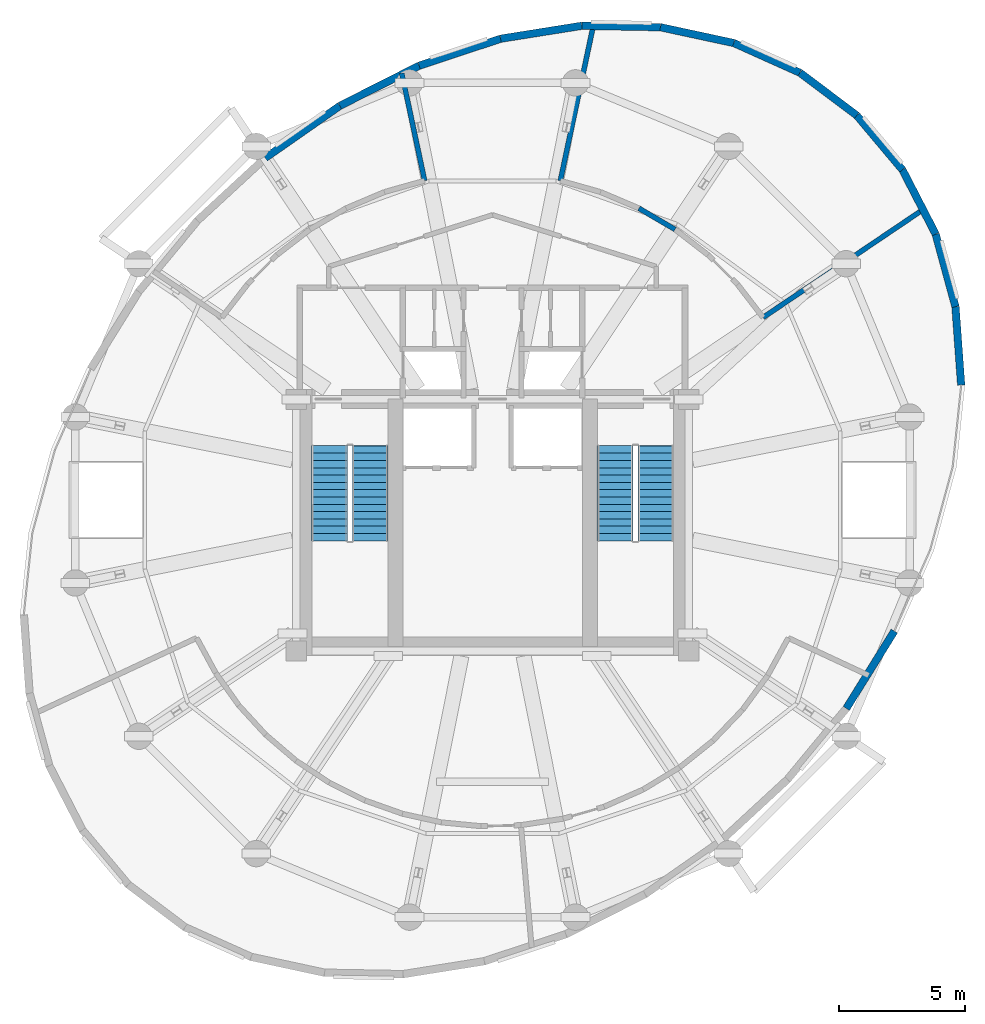
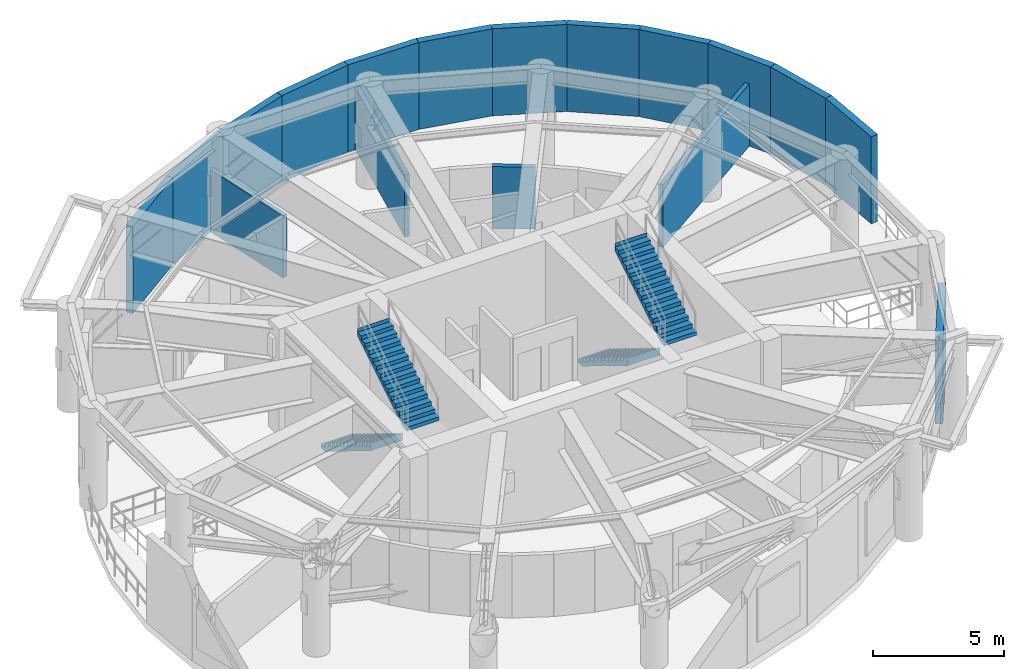
# One storey, part 5 of 7: 17 walls, 4 stair flights, 2 elements without a shape of their own.
"""IFC4 building model written with IfcOpenShell, lengths in metres."""

from ifc_helpers import new_model, si_unit, direction, frame, frame_2d, origin, place, context, subcontext, project, spatial, polyline, rectangle, outline, extrude, material, layer, layer_set, type_object, element, aggregate, save


model = new_model("IFC4")

# Units and contexts
model_context = context("Model", 3, precision=1e-05, world=origin(), true_north=direction((0.0, 1.0)))
body_context = subcontext(model_context, "Body", "Model", "MODEL_VIEW")
ifc_project = project(units=[si_unit("LENGTHUNIT", "METRE"), si_unit("AREAUNIT", "SQUARE_METRE"), si_unit("VOLUMEUNIT", "CUBIC_METRE"), si_unit("PLANEANGLEUNIT", "RADIAN"), si_unit("MASSUNIT", "GRAM", prefix="KILO"), si_unit("THERMODYNAMICTEMPERATUREUNIT", "KELVIN"), si_unit("POWERUNIT", "WATT")], contexts=[model_context])

# Site, building, storey
site_placement = place(None, origin())
site = spatial("IfcSite", under=ifc_project, at=site_placement, CompositionType="ELEMENT")
building_placement = place(site_placement, origin())
building = spatial("IfcBuilding", under=site, at=building_placement, Name="Ocrelia Relay Tower", CompositionType="ELEMENT")
storey_placement = place(building_placement, frame((0.0, 0.0, 225.39990234375)))
storey = spatial("IfcBuildingStorey", under=building, at=storey_placement, Name="L55", CompositionType="ELEMENT", Elevation=225.39990234375)

# Walls
ifc_material_1 = material(Name="Precast concrete C40/50 with oxide terracotta", Category="masonry")
ifc_layer_1 = layer(ifc_material_1, 0.300048828125, Name="Precast concrete C40/50 with oxide terracotta")
ifc_layer_set_1 = layer_set([ifc_layer_1], Name="Precast concrete C40/50 with oxide terracotta")
wall_type_1 = type_object("IfcWallType", Name="W-EXT-TERR-300", PredefinedType="SOLIDWALL", material=ifc_layer_set_1)
wall_1_placement = place(storey_placement, frame((48.4765625, 41.28173828125, 0.0), z_axis=(0.0, 0.0, 1.0), x_axis=(-0.799210477485, 0.601051256282, 0.0)))
element("IfcWall", 1, at=wall_1_placement, inside=storey, type_object=wall_type_1, Name="L55 Plant Terracotta Wall 01", PredefinedType="SOLIDWALL", context=body_context, shape_type="SweptSolid", body=[
    extrude(rectangle(XDim=2.822509765625, YDim=0.300048828125, at=frame_2d((1.4111328125, 0.0))), origin(), (0.0, 0.0, 1.0), 4.06005859375),
])
wall_2_placement = place(storey_placement, frame((46.220703125, 42.978271484375, 0.0), z_axis=(0.0, 0.0, 1.0), x_axis=(-0.912125984166, 0.409909976714, 0.0)))
element("IfcWall", 2, at=wall_2_placement, inside=storey, type_object=wall_type_1, Name="L55 Plant Terracotta Wall 02", PredefinedType="SOLIDWALL", context=body_context, shape_type="SweptSolid", body=[
    extrude(rectangle(XDim=2.88037109375, YDim=0.300048828125, at=frame_2d((1.440185546875, 0.0))), origin(), (0.0, 0.0, 1.0), 4.06005859375),
])
wall_3_placement = place(storey_placement, frame((43.593505859375, 44.158935546875, 0.0), z_axis=(0.0, 0.0, 1.0), x_axis=(-0.977563651591, 0.210640231409, 0.0)))
element("IfcWall", 3, at=wall_3_placement, inside=storey, type_object=wall_type_1, Name="L55 Plant Terracotta Wall 03", PredefinedType="SOLIDWALL", context=body_context, shape_type="SweptSolid", body=[
    extrude(rectangle(XDim=2.985595703125, YDim=0.300048828125, at=frame_2d((1.49267578125, 0.0))), origin(), (0.0, 0.0, 1.0), 4.06005859375),
])
wall_4_placement = place(storey_placement, frame((40.6748046875, 44.787841796875, 0.0), z_axis=(0.0, 0.0, 1.0), x_axis=(-0.999828254486, 0.018532715182, 0.0)))
element("IfcWall", 4, at=wall_4_placement, inside=storey, type_object=wall_type_1, Name="L55 Plant Terracotta Wall 04", PredefinedType="SOLIDWALL", context=body_context, shape_type="SweptSolid", body=[
    extrude(rectangle(XDim=3.1220703125, YDim=0.300048828125, at=frame_2d((1.56103515625, 0.0))), origin(), (0.0, 0.0, 1.0), 4.06005859375),
])
wall_5_placement = place(storey_placement, frame((37.55322265625, 44.845703125, 0.0), z_axis=(0.0, 0.0, 1.0), x_axis=(-0.987548955156, -0.157311986733, 0.0)))
element("IfcWall", 5, at=wall_5_placement, inside=storey, type_object=wall_type_1, Name="L55 Plant Terracotta Wall 05", PredefinedType="SOLIDWALL", context=body_context, shape_type="SweptSolid", body=[
    extrude(rectangle(XDim=3.27001953125, YDim=0.300048828125, at=frame_2d((1.635009765625, 0.0))), origin(), (0.0, 0.0, 1.0), 4.06005859375),
])
wall_6_placement = place(storey_placement, frame((34.323974609375, 44.331298828125, 0.0), z_axis=(0.0, 0.0, 1.0), x_axis=(-0.949382197537, -0.314123292673, 0.0)))
element("IfcWall", 6, at=wall_6_placement, inside=storey, type_object=wall_type_1, Name="L55 Plant Terracotta Wall 06", PredefinedType="SOLIDWALL", context=body_context, shape_type="SweptSolid", body=[
    extrude(rectangle(XDim=3.411865234375, YDim=0.300048828125, at=frame_2d((1.7060546875, 0.0))), origin(), (0.0, 0.0, 1.0), 4.06005859375),
])
wall_7_placement = place(storey_placement, frame((31.084716796875, 43.259521484375, 0.0), z_axis=(0.0, 0.0, 1.0), x_axis=(-0.89209261961, -0.45185258441, 0.0)))
element("IfcWall", 7, at=wall_7_placement, inside=storey, type_object=wall_type_1, Name="L55 Plant Terracotta Wall 07", PredefinedType="SOLIDWALL", context=body_context, shape_type="SweptSolid", body=[
    extrude(rectangle(XDim=3.531982421875, YDim=0.300048828125, at=frame_2d((1.76611328125, 0.0))), origin(), (0.0, 0.0, 1.0), 4.06005859375),
])
wall_8_placement = place(storey_placement, frame((27.933837890625, 41.66357421875, 0.0), z_axis=(0.0, 0.0, 1.0), x_axis=(-0.819802095638, -0.572646945323, 0.0)))
element("IfcWall", 8, at=wall_8_placement, inside=storey, type_object=wall_type_1, Name="L55 Plant Terracotta Wall 08", PredefinedType="SOLIDWALL", context=body_context, shape_type="SweptSolid", body=[
    extrude(rectangle(XDim=3.618408203125, YDim=0.300048828125, at=frame_2d((1.80908203125, 0.0))), origin(), (0.0, 0.0, 1.0), 4.06005859375),
])
wall_9_placement = place(storey_placement, frame((48.060302734375, 17.7158203125, 0.0), z_axis=(0.0, 0.0, 1.0), x_axis=(0.527455239151, 0.849582821562, 0.0)))
element("IfcWall", 9, at=wall_9_placement, inside=storey, type_object=wall_type_1, Name="L55 Plant Terracotta Wall 29", PredefinedType="SOLIDWALL", context=body_context, shape_type="SweptSolid", body=[
    extrude(rectangle(XDim=3.6181640625, YDim=0.300048828125, at=frame_2d((1.80908203125, 0.0))), origin(), (0.0, 0.0, 1.0), 4.06005859375),
])
wall_10_placement = place(storey_placement, frame((52.6259765625, 30.5673828125, 0.0), z_axis=(0.0, 0.0, 1.0), x_axis=(-0.072569639853, 0.997363347718, 0.0)))
element("IfcWall", 10, at=wall_10_placement, inside=storey, type_object=wall_type_1, Name="L55 Plant Terracotta Wall 33", PredefinedType="SOLIDWALL", context=body_context, shape_type="SweptSolid", body=[
    extrude(rectangle(XDim=3.1220703125, YDim=0.300048828125, at=frame_2d((1.56103515625, 0.0))), origin(), (0.0, 0.0, 1.0), 4.06005859375),
])
wall_11_placement = place(storey_placement, frame((52.3994140625, 33.68115234375, 0.0), z_axis=(0.0, 0.0, 1.0), x_axis=(-0.263221190674, 0.964735510272, 0.0)))
element("IfcWall", 11, at=wall_11_placement, inside=storey, type_object=wall_type_1, Name="L55 Plant Terracotta Wall 34", PredefinedType="SOLIDWALL", context=body_context, shape_type="SweptSolid", body=[
    extrude(rectangle(XDim=2.985595703125, YDim=0.300048828125, at=frame_2d((1.49267578125, 0.0))), origin(), (0.0, 0.0, 1.0), 4.06005859375),
])
wall_12_placement = place(storey_placement, frame((51.613525390625, 36.5615234375, 0.0), z_axis=(0.0, 0.0, 1.0), x_axis=(-0.45867098927, 0.88860616901, 0.0)))
element("IfcWall", 12, at=wall_12_placement, inside=storey, type_object=wall_type_1, Name="L55 Plant Terracotta Wall 35", PredefinedType="SOLIDWALL", context=body_context, shape_type="SweptSolid", body=[
    extrude(rectangle(XDim=2.880126953125, YDim=0.300048828125, at=frame_2d((1.43994140625, 0.0))), origin(), (0.0, 0.0, 1.0), 4.06005859375),
])
wall_13_placement = place(storey_placement, frame((50.29248046875, 39.120849609375, 0.0), z_axis=(0.0, 0.0, 1.0), x_axis=(-0.643352324019, 0.765570236608, 0.0)))
element("IfcWall", 13, at=wall_13_placement, inside=storey, type_object=wall_type_1, Name="L55 Plant Terracotta Wall 36", PredefinedType="SOLIDWALL", context=body_context, shape_type="SweptSolid", body=[
    extrude(rectangle(XDim=2.822509765625, YDim=0.300048828125, at=frame_2d((1.4111328125, 0.0))), origin(), (0.0, 0.0, 1.0), 4.06005859375),
])
ifc_material_2 = material(Name="Concrete C50/60", Category="concrete")
ifc_layer_2 = layer(ifc_material_2, 0.199951171875, Name="Concrete C50/60")
ifc_layer_set_2 = layer_set([ifc_layer_2], Name="Concrete C50/60")
wall_type_2 = type_object("IfcWallType", Name="W-SHAFT-EI120-200", PredefinedType="SOLIDWALL", material=ifc_layer_set_2)
wall_14_placement = place(storey_placement, frame((31.303466796875, 38.6865234375, 0.0), z_axis=(0.0, 0.0, 1.0), x_axis=(-0.207910879909, 0.978147773097, 0.0)))
element("IfcWall", 14, at=wall_14_placement, inside=storey, type_object=wall_type_2, Name="L55 West Area of Refuge Radial Wall R0", PredefinedType="SOLIDWALL", context=body_context, shape_type="SweptSolid", body=[
    extrude(rectangle(XDim=4.369384765625, YDim=0.199951171875, at=frame_2d((2.1845703125, 0.0))), origin(), (0.0, 0.0, 1.0), 2.900146484375),
])
wall_15_placement = place(storey_placement, frame((39.82080078125, 37.59033203125, 0.0), z_axis=(0.0, 0.0, 1.0), x_axis=(0.863153716887, -0.504941245122, 0.0)))
element("IfcWall", 15, at=wall_15_placement, inside=storey, type_object=wall_type_2, Name="L55 East Area of Refuge Inner Wall 9", PredefinedType="SOLIDWALL", context=body_context, shape_type="SweptSolid", body=[
    extrude(rectangle(XDim=1.658935546875, YDim=0.199951171875, at=frame_2d((0.82958984375, 0.0))), origin(), (0.0, 0.0, 1.0), 2.900146484375),
])
wall_16_placement = place(storey_placement, frame((44.752685546875, 33.252685546875, 0.0), z_axis=(0.0, 0.0, 1.0), x_axis=(0.829032574193, 0.559200313775, 0.0)))
element("IfcWall", 16, at=wall_16_placement, inside=storey, type_object=wall_type_2, Name="L55 East Area of Refuge Radial Wall R0", PredefinedType="SOLIDWALL", context=body_context, shape_type="SweptSolid", body=[
    extrude(rectangle(XDim=7.78564453125, YDim=0.199951171875, at=frame_2d((3.892822265625, 0.0))), origin(), (0.0, 0.0, 1.0), 2.900146484375),
])
wall_17_placement = place(storey_placement, frame((36.696533203125, 38.6865234375, 0.0), z_axis=(0.0, 0.0, 1.0), x_axis=(0.207926823578, 0.978144384044, 0.0)))
element("IfcWall", 17, at=wall_17_placement, inside=storey, type_object=wall_type_2, Name="L55 East Area of Refuge Radial Wall R1", PredefinedType="SOLIDWALL", context=body_context, shape_type="SweptSolid", body=[
    extrude(rectangle(XDim=6.3486328125, YDim=0.199951171875, at=frame_2d((3.17431640625, 0.0))), origin(), (0.0, 0.0, 1.0), 2.900146484375),
])

# Stair, stair flights
stair_type = type_object("IfcStairType", Name="ST-DL-1420-R179", PredefinedType="HALF_TURN_STAIR", material=ifc_material_2)
stair_1_placement = place(storey_placement, origin())
stair_1 = element("IfcStair", 18, at=stair_1_placement, inside=storey, type_object=stair_type, Name="L55 West Core Exit Stair ST1", PredefinedType="HALF_TURN_STAIR")
stair_flight_type = type_object("IfcStairFlightType", Name="STF-DL-1420-R179", PredefinedType="STRAIGHT", material=ifc_material_2)
stair_flight_1_placement = place(storey_placement, frame((27.52001953125, 28.14990234375, 0.0), z_axis=(0.0, 0.0, 1.0), x_axis=(0.0, -1.0, 0.0)))
stair_flight_1 = element("IfcStairFlight", 19, at=stair_flight_1_placement, type_object=stair_flight_type, Name="ST1 flight 1", NumberOfRisers=14, NumberOfTreads=13, PredefinedType="STRAIGHT", RiserHeight=0.178571429, TreadLength=0.29, context=body_context, shape_type="SweptSolid", body=[
    extrude(outline(polyline([(-0.008056640625, 0.0), (-0.008056640625, 0.178466796875), (0.0, 0.178466796875), (0.2900390625, 0.178466796875), (0.2900390625, 0.357177734375), (0.580078125, 0.357177734375), (0.580078125, 0.53564453125), (0.8701171875, 0.53564453125), (0.8701171875, 0.71435546875), (1.159912109375, 0.71435546875), (1.159912109375, 0.892822265625), (1.449951171875, 0.892822265625), (1.449951171875, 1.071533203125), (1.739990234375, 1.071533203125), (1.739990234375, 1.25), (2.030029296875, 1.25), (2.030029296875, 1.428466796875), (2.320068359375, 1.428466796875), (2.320068359375, 1.607177734375), (2.610107421875, 1.607177734375), (2.610107421875, 1.78564453125), (2.89990234375, 1.78564453125), (2.89990234375, 1.96435546875), (3.18994140625, 1.96435546875), (3.18994140625, 2.142822265625), (3.47998046875, 2.142822265625), (3.47998046875, 2.321533203125), (3.77001953125, 2.321533203125), (3.77001953125, 2.5), (3.778076171875, 2.5), (3.778076171875, 2.1455078125), (0.285888671875, 0.0), (-0.008056640625, 0.0)])), frame((0.0, 0.7099609375, 0.0), z_axis=(0.0, -1.0, 0.0), x_axis=(1.0, 0.0, 0.0)), (0.0, 0.0, 1.0), 1.419921875),
])
stair_flight_2_placement = place(storey_placement, frame((29.139892578125, 24.3798828125, 2.5), z_axis=(0.0, 0.0, 1.0), x_axis=(0.0, 1.0, 0.0)))
stair_flight_2 = element("IfcStairFlight", 20, at=stair_flight_2_placement, type_object=stair_flight_type, Name="ST1 flight 2", NumberOfRisers=14, NumberOfTreads=13, PredefinedType="STRAIGHT", RiserHeight=0.178571429, TreadLength=0.29, context=body_context, shape_type="SweptSolid", body=[
    extrude(outline(polyline([(-0.008056640625, 0.0), (-0.008056640625, 0.178466796875), (0.0, 0.178466796875), (0.2900390625, 0.178466796875), (0.2900390625, 0.357177734375), (0.580078125, 0.357177734375), (0.580078125, 0.53564453125), (0.8701171875, 0.53564453125), (0.8701171875, 0.71435546875), (1.159912109375, 0.71435546875), (1.159912109375, 0.892822265625), (1.449951171875, 0.892822265625), (1.449951171875, 1.071533203125), (1.739990234375, 1.071533203125), (1.739990234375, 1.25), (2.030029296875, 1.25), (2.030029296875, 1.428466796875), (2.320068359375, 1.428466796875), (2.320068359375, 1.607177734375), (2.610107421875, 1.607177734375), (2.610107421875, 1.78564453125), (2.89990234375, 1.78564453125), (2.89990234375, 1.96435546875), (3.18994140625, 1.96435546875), (3.18994140625, 2.142822265625), (3.47998046875, 2.142822265625), (3.47998046875, 2.321533203125), (3.77001953125, 2.321533203125), (3.77001953125, 2.5), (3.778076171875, 2.5), (3.778076171875, 2.1455078125), (0.285888671875, 0.0), (-0.008056640625, 0.0)])), frame((0.0, 0.7099609375, 0.0), z_axis=(0.0, -1.0, 0.0), x_axis=(1.0, 0.0, 0.0)), (0.0, 0.0, 1.0), 1.419921875),
])
aggregate(stair_1, [stair_flight_1, stair_flight_2])

stair_2_placement = place(storey_placement, origin())
stair_2 = element("IfcStair", 21, at=stair_2_placement, inside=storey, type_object=stair_type, Name="L55 East Core Exit Stair ST2", PredefinedType="HALF_TURN_STAIR")
stair_flight_3_placement = place(storey_placement, frame((38.8701171875, 28.14990234375, 0.0), z_axis=(0.0, 0.0, 1.0), x_axis=(0.0, -1.0, 0.0)))
stair_flight_3 = element("IfcStairFlight", 22, at=stair_flight_3_placement, type_object=stair_flight_type, Name="ST2 flight 1", NumberOfRisers=14, NumberOfTreads=13, PredefinedType="STRAIGHT", RiserHeight=0.178571429, TreadLength=0.29, context=body_context, shape_type="SweptSolid", body=[
    extrude(outline(polyline([(-0.008056640625, 0.0), (-0.008056640625, 0.178466796875), (0.0, 0.178466796875), (0.2900390625, 0.178466796875), (0.2900390625, 0.357177734375), (0.580078125, 0.357177734375), (0.580078125, 0.53564453125), (0.8701171875, 0.53564453125), (0.8701171875, 0.71435546875), (1.159912109375, 0.71435546875), (1.159912109375, 0.892822265625), (1.449951171875, 0.892822265625), (1.449951171875, 1.071533203125), (1.739990234375, 1.071533203125), (1.739990234375, 1.25), (2.030029296875, 1.25), (2.030029296875, 1.428466796875), (2.320068359375, 1.428466796875), (2.320068359375, 1.607177734375), (2.610107421875, 1.607177734375), (2.610107421875, 1.78564453125), (2.89990234375, 1.78564453125), (2.89990234375, 1.96435546875), (3.18994140625, 1.96435546875), (3.18994140625, 2.142822265625), (3.47998046875, 2.142822265625), (3.47998046875, 2.321533203125), (3.77001953125, 2.321533203125), (3.77001953125, 2.5), (3.778076171875, 2.5), (3.778076171875, 2.1455078125), (0.285888671875, 0.0), (-0.008056640625, 0.0)])), frame((0.0, 0.7099609375, 0.0), z_axis=(0.0, -1.0, 0.0), x_axis=(1.0, 0.0, 0.0)), (0.0, 0.0, 1.0), 1.419921875),
])
stair_flight_4_placement = place(storey_placement, frame((40.489990234375, 24.3798828125, 2.5), z_axis=(0.0, 0.0, 1.0), x_axis=(0.0, 1.0, 0.0)))
stair_flight_4 = element("IfcStairFlight", 23, at=stair_flight_4_placement, type_object=stair_flight_type, Name="ST2 flight 2", NumberOfRisers=14, NumberOfTreads=13, PredefinedType="STRAIGHT", RiserHeight=0.178571429, TreadLength=0.29, context=body_context, shape_type="SweptSolid", body=[
    extrude(outline(polyline([(-0.008056640625, 0.0), (-0.008056640625, 0.178466796875), (0.0, 0.178466796875), (0.2900390625, 0.178466796875), (0.2900390625, 0.357177734375), (0.580078125, 0.357177734375), (0.580078125, 0.53564453125), (0.8701171875, 0.53564453125), (0.8701171875, 0.71435546875), (1.159912109375, 0.71435546875), (1.159912109375, 0.892822265625), (1.449951171875, 0.892822265625), (1.449951171875, 1.071533203125), (1.739990234375, 1.071533203125), (1.739990234375, 1.25), (2.030029296875, 1.25), (2.030029296875, 1.428466796875), (2.320068359375, 1.428466796875), (2.320068359375, 1.607177734375), (2.610107421875, 1.607177734375), (2.610107421875, 1.78564453125), (2.89990234375, 1.78564453125), (2.89990234375, 1.96435546875), (3.18994140625, 1.96435546875), (3.18994140625, 2.142822265625), (3.47998046875, 2.142822265625), (3.47998046875, 2.321533203125), (3.77001953125, 2.321533203125), (3.77001953125, 2.5), (3.778076171875, 2.5), (3.778076171875, 2.1455078125), (0.285888671875, 0.0), (-0.008056640625, 0.0)])), frame((0.0, 0.7099609375, 0.0), z_axis=(0.0, -1.0, 0.0), x_axis=(1.0, 0.0, 0.0)), (0.0, 0.0, 1.0), 1.419921875),
])
aggregate(stair_2, [stair_flight_3, stair_flight_4])

save(model, "model.ifc")
